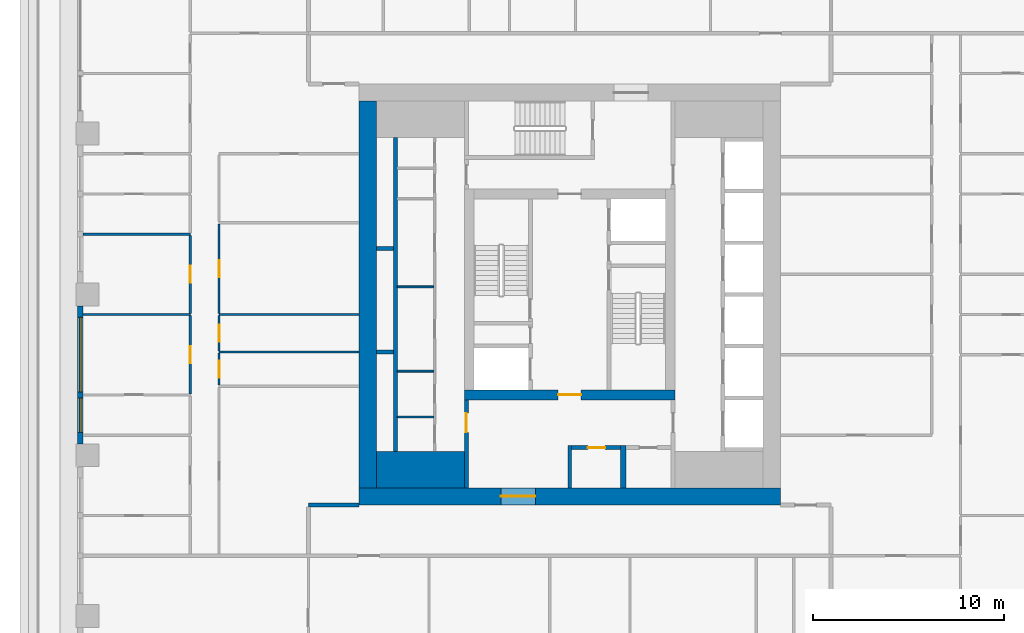
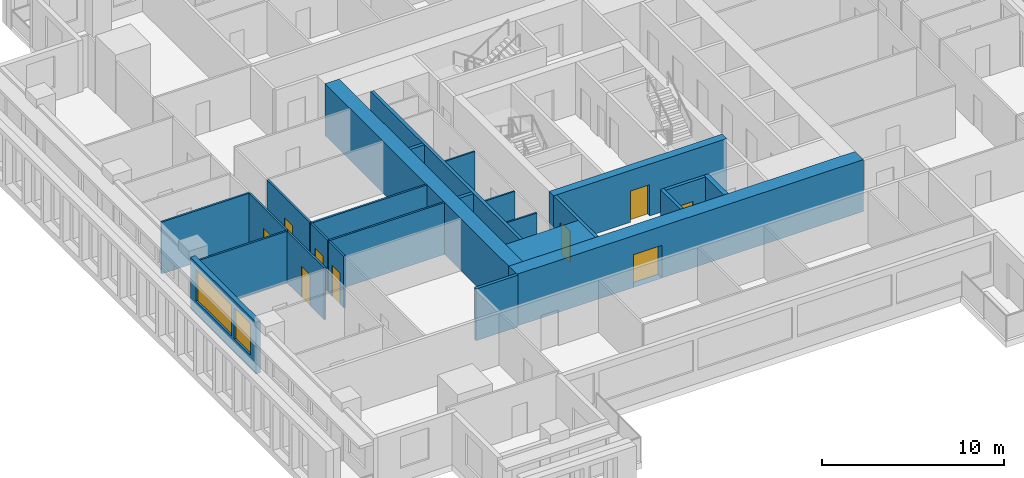
# One storey, part 3 of 14: 25 walls, 9 doors, 2 windows, 11 openings.
"""IFC4 building model written with IfcOpenShell, lengths in metres."""

from ifc_helpers import new_model, si_unit, direction, frame, frame_2d, origin, place, context, subcontext, project, spatial, rectangle, extrude, material, layer, layer_set, type_object, element, fill, save


model = new_model("IFC4")

# Units and contexts
model_context = context("Model", 3, precision=1e-05, world=origin(), true_north=direction((0.0, 1.0)))
body_context = subcontext(model_context, "Body", "Model", "MODEL_VIEW")
ifc_project = project(units=[si_unit("LENGTHUNIT", "METRE"), si_unit("AREAUNIT", "SQUARE_METRE"), si_unit("VOLUMEUNIT", "CUBIC_METRE"), si_unit("PLANEANGLEUNIT", "RADIAN"), si_unit("MASSUNIT", "GRAM", prefix="KILO")], contexts=[model_context])

# Site, building, storey
site_placement = place(None, origin())
site = spatial("IfcSite", under=ifc_project, at=site_placement, CompositionType="ELEMENT")
building_placement = place(site_placement, origin())
building = spatial("IfcBuilding", under=site, at=building_placement, Name="Khepri Terraces", CompositionType="ELEMENT")
storey_placement = place(building_placement, frame((0.0, 0.0, 279.60009765625)))
storey = spatial("IfcBuildingStorey", under=building, at=storey_placement, Name="L67", CompositionType="ELEMENT", Elevation=279.60009765625)

# Walls
ifc_material_1 = material(Name="Concrete C40/50", Category="concrete")
ifc_layer_1 = layer(ifc_material_1, 1.89990234375, Name="Concrete C40/50", Category="concrete")
ifc_layer_set_1 = layer_set([ifc_layer_1], Name="Concrete C40/50")
wall_type_1 = type_object("IfcWallType", Name="Core wall 1900 C40/50", PredefinedType="SHEAR", material=ifc_layer_set_1)
wall_1_placement = place(storey_placement, frame((-10.10009765625, -9.14990234375, 0.0), z_axis=(0.0, 0.0, 1.0), x_axis=(1.0, 0.0, 0.0)))
element("IfcWall", 1, at=wall_1_placement, inside=storey, type_object=wall_type_1, Name="Core wall PR01 L67", PredefinedType="SHEAR", context=body_context, shape_type="SweptSolid", body=[
    extrude(rectangle(XDim=4.60009765625, YDim=1.89990234375, at=frame_2d((2.300048828125, 0.0))), origin(), (0.0, 0.0, 1.0), 3.47998046875),
])
ifc_layer_2 = layer(ifc_material_1, 0.199951171875, Name="Concrete C40/50", Category="concrete")
ifc_layer_set_2 = layer_set([ifc_layer_2], Name="Concrete C40/50")
wall_type_2 = type_object("IfcWallType", Name="Core wall 200 C40/50", PredefinedType="SHEAR", material=ifc_layer_set_2)
wall_2_placement = place(storey_placement, frame((-9.10009765625, -8.199951171875, 0.0), z_axis=(0.0, 0.0, 1.0), x_axis=(0.0, 1.0, 0.0)))
element("IfcWall", 2, at=wall_2_placement, inside=storey, type_object=wall_type_2, Name="Core wall SH01 L67", PredefinedType="SHEAR", context=body_context, shape_type="SweptSolid", body=[
    extrude(rectangle(XDim=16.39990234375, YDim=0.199951171875, at=frame_2d((8.199951171875, 0.0))), origin(), (0.0, 0.0, 1.0), 3.47998046875),
])
for number, where, z_axis, x_axis, name in (
    (3, (-10.10009765625, -3.0, 0.0), (0.0, 0.0, 1.0), (1.0, 0.0, 0.0), "Core wall SH06 L67"),
    (4, (-10.10009765625, 2.39990234375, 0.0), (0.0, 0.0, 1.0), (1.0, 0.0, 0.0), "Core wall SH11 L67"),
):
    element("IfcWall", number, at=place(storey_placement, frame(where, z_axis=z_axis, x_axis=x_axis)), inside=storey, type_object=wall_type_2, Name=name, PredefinedType="SHEAR", context=body_context, shape_type="SweptSolid", body=[
        extrude(rectangle(XDim=0.900146484375, YDim=0.199951171875, at=frame_2d((0.4501953125, 0.0))), origin(), (0.0, 0.0, 1.0), 3.47998046875),
    ])

# Wall, opening, door
ifc_layer_3 = layer(ifc_material_1, 0.5, Name="Concrete C40/50", Category="concrete")
ifc_layer_set_3 = layer_set([ifc_layer_3], Name="Concrete C40/50")
wall_type_3 = type_object("IfcWallType", Name="Core wall 500 C40/50", PredefinedType="SHEAR", material=ifc_layer_set_3)
wall_3_placement = place(storey_placement, frame((-5.5, -5.25, 0.0), z_axis=(0.0, 0.0, 1.0), x_axis=(1.0, 0.0, 0.0)))
wall_3 = element("IfcWall", 5, at=wall_3_placement, inside=storey, type_object=wall_type_3, Name="Core wall BX01 L67", PredefinedType="SHEAR", context=body_context, shape_type="SweptSolid", body=[
    extrude(rectangle(XDim=11.0, YDim=0.5, at=frame_2d((5.5, 0.0))), origin(), (0.0, 0.0, 1.0), 3.47998046875),
])
opening_1_placement = place(wall_3_placement, frame((4.89990234375, 0.0, 0.0)))
opening_1 = element("IfcOpeningElement", 6, at=opening_1_placement, cuts=wall_3, Name="Opening L67-C14", PredefinedType="OPENING", context=body_context, shape_type="SweptSolid", body=[
    extrude(rectangle(XDim=1.199951171875, YDim=2.10009765625, at=frame_2d((0.60009765625, 1.050048828125))), frame((0.0, 0.260009765625, 0.0), z_axis=(0.0, -1.0, 0.0), x_axis=(1.0, 0.0, 0.0)), (0.0, 0.0, 1.0), 0.52001953125),
])
ifc_material_2 = material(Name="Painted steel", Category="steel")
door_type_1 = type_object("IfcDoorType", Name="DR-CORE-FF-LOBBY-1200", OperationType="NOTDEFINED", PredefinedType="DOOR", material=ifc_material_2)
door_1_placement = place(opening_1_placement, origin())
door_1 = element("IfcDoor", 7, at=door_1_placement, inside=storey, type_object=door_type_1, Name="Firefighting lobby door L67-C14", OperationType="SINGLE_SWING_RIGHT", OverallHeight=2.10009765625, OverallWidth=1.199951171875, PredefinedType="DOOR", context=body_context, shape_type="SweptSolid", body=[
    extrude(rectangle(XDim=1.199951171875, YDim=2.10009765625, at=frame_2d((0.60009765625, 1.050048828125))), frame((0.0, 0.02490234375, 0.0), z_axis=(0.0, -1.0, 0.0), x_axis=(1.0, 0.0, 0.0)), (0.0, 0.0, 1.0), 0.050048828125),
])
fill(opening_1, door_1)

ifc_layer_4 = layer(ifc_material_1, 0.89990234375, Name="Concrete C40/50", Category="concrete")
ifc_layer_set_4 = layer_set([ifc_layer_4], Name="Concrete C40/50")
wall_type_4 = type_object("IfcWallType", Name="Core wall 900 C40/50", PredefinedType="SHEAR", material=ifc_layer_set_4)
wall_4_placement = place(storey_placement, frame((-11.0, -10.550048828125, 0.0), z_axis=(0.0, 0.0, 1.0), x_axis=(1.0, 0.0, 0.0)))
wall_4 = element("IfcWall", 8, at=wall_4_placement, inside=storey, type_object=wall_type_4, Name="Core wall OW-S L67", PredefinedType="SHEAR", context=body_context, shape_type="SweptSolid", body=[
    extrude(rectangle(XDim=22.0, YDim=0.89990234375, at=frame_2d((11.0, 0.0))), origin(), (0.0, 0.0, 1.0), 3.47998046875),
])
opening_2_placement = place(wall_4_placement, frame((7.39990234375, 0.0, 0.0)))
opening_2 = element("IfcOpeningElement", 9, at=opening_2_placement, cuts=wall_4, Name="Opening L67-C21", PredefinedType="OPENING", context=body_context, shape_type="SweptSolid", body=[
    extrude(rectangle(XDim=1.800048828125, YDim=2.199951171875, at=frame_2d((0.89990234375, 1.10009765625))), frame((0.0, 0.4599609375, 0.0), z_axis=(0.0, -1.0, 0.0), x_axis=(1.0, 0.0, 0.0)), (0.0, 0.0, 1.0), 0.919921875),
])
door_type_2 = type_object("IfcDoorType", Name="DR-CORE-ENTRANCE-1800", OperationType="NOTDEFINED", PredefinedType="DOOR", material=ifc_material_2)
door_2_placement = place(opening_2_placement, frame((1.800048828125, 0.0, 0.0), z_axis=(0.0, 0.0, 1.0), x_axis=(-1.0, 0.0, 0.0)))
door_2 = element("IfcDoor", 10, at=door_2_placement, inside=storey, type_object=door_type_2, Name="Core entrance door pair L67-C21", OperationType="DOUBLE_DOOR_SINGLE_SWING", OverallHeight=2.199951171875, OverallWidth=1.800048828125, PredefinedType="DOOR", context=body_context, shape_type="SweptSolid", body=[
    extrude(rectangle(XDim=1.800048828125, YDim=2.199951171875, at=frame_2d((0.89990234375, 1.10009765625))), frame((0.0, 0.02490234375, 0.0), z_axis=(0.0, -1.0, 0.0), x_axis=(1.0, 0.0, 0.0)), (0.0, 0.0, 1.0), 0.050048828125),
])
fill(opening_2, door_2)

# Walls
wall_5_placement = place(storey_placement, frame((-10.550048828125, -10.10009765625, 0.0), z_axis=(0.0, 0.0, 1.0), x_axis=(0.0, 1.0, 0.0)))
element("IfcWall", 11, at=wall_5_placement, inside=storey, type_object=wall_type_4, Name="Core wall OW-W L67", PredefinedType="SHEAR", context=body_context, shape_type="SweptSolid", body=[
    extrude(rectangle(XDim=20.2001953125, YDim=0.89990234375, at=frame_2d((10.10009765625, 0.0))), origin(), (0.0, 0.0, 1.0), 3.47998046875),
])
ifc_material_3 = material(Name="Fire-rated gypsum board partition")
ifc_layer_5 = layer(ifc_material_3, 0.10009765625, Name="Fire-rated gypsum board partition")
ifc_layer_set_5 = layer_set([ifc_layer_5], Name="Fire-rated gypsum board partition")
wall_type_5 = type_object("IfcWallType", Name="WL-CORE-PART-100", PredefinedType="PARTITIONING", material=ifc_layer_set_5)
for number, where, z_axis, x_axis, name in (
    (12, (-9.0, -6.39990234375, 0.0), (0.0, 0.0, 1.0), (1.0, 0.0, 0.0), "Core partition PT08 L67"),
    (13, (-9.0, -4.0, 0.0), (0.0, 0.0, 1.0), (1.0, 0.0, 0.0), "Core partition PT09 L67"),
    (14, (-9.0, 0.39990234375, 0.0), (0.0, 0.0, 1.0), (1.0, 0.0, 0.0), "Core partition PT10 L67"),
):
    element("IfcWall", number, at=place(storey_placement, frame(where, z_axis=z_axis, x_axis=x_axis)), inside=storey, type_object=wall_type_5, Name=name, PredefinedType="PARTITIONING", context=body_context, shape_type="SweptSolid", body=[
        extrude(rectangle(XDim=1.89990234375, YDim=0.10009765625, at=frame_2d((0.949951171875, 0.0))), origin(), (0.0, 0.0, 1.0), 3.47998046875),
    ])

# Wall, opening, door
ifc_layer_6 = layer(ifc_material_3, 0.199951171875, Name="Fire-rated gypsum board partition")
ifc_layer_set_6 = layer_set([ifc_layer_6], Name="Fire-rated gypsum board partition")
wall_type_6 = type_object("IfcWallType", Name="WL-CORE-PART-200", PredefinedType="PARTITIONING", material=ifc_layer_set_6)
wall_6_placement = place(storey_placement, frame((-5.39990234375, -10.10009765625, 0.0), z_axis=(0.0, 0.0, 1.0), x_axis=(0.0, 1.0, 0.0)))
wall_6 = element("IfcWall", 15, at=wall_6_placement, inside=storey, type_object=wall_type_6, Name="Core partition PT01 L67", PredefinedType="PARTITIONING", context=body_context, shape_type="SweptSolid", body=[
    extrude(rectangle(XDim=4.60009765625, YDim=0.199951171875, at=frame_2d((2.300048828125, 0.0))), origin(), (0.0, 0.0, 1.0), 3.47998046875),
])
opening_3_placement = place(wall_6_placement, frame((2.89990234375, 0.0, 0.0)))
opening_3 = element("IfcOpeningElement", 16, at=opening_3_placement, cuts=wall_6, Name="Opening L67-C18", PredefinedType="OPENING", context=body_context, shape_type="SweptSolid", body=[
    extrude(rectangle(XDim=1.0, YDim=2.10009765625, at=frame_2d((0.5, 1.050048828125))), frame((0.0, 0.10986328125, 0.0), z_axis=(0.0, -1.0, 0.0), x_axis=(1.0, 0.0, 0.0)), (0.0, 0.0, 1.0), 0.219970703125),
])
door_type_3 = type_object("IfcDoorType", Name="DR-CORE-LOBBY-1000", OperationType="NOTDEFINED", PredefinedType="DOOR", material=ifc_material_2)
door_3_placement = place(opening_3_placement, frame((1.0, 0.0, 0.0), z_axis=(0.0, 0.0, 1.0), x_axis=(-1.0, 0.0, 0.0)))
door_3 = element("IfcDoor", 17, at=door_3_placement, inside=storey, type_object=door_type_3, Name="Lobby door L67-C18", OperationType="SINGLE_SWING_LEFT", OverallHeight=2.10009765625, OverallWidth=1.0, PredefinedType="DOOR", context=body_context, shape_type="SweptSolid", body=[
    extrude(rectangle(XDim=1.0, YDim=2.10009765625, at=frame_2d((0.5, 1.050048828125))), frame((0.0, 0.02490234375, 0.0), z_axis=(0.0, -1.0, 0.0), x_axis=(1.0, 0.0, 0.0)), (0.0, 0.0, 1.0), 0.050048828125),
])
fill(opening_3, door_3)

# Wall
wall_7_placement = place(storey_placement, frame((0.0, -10.10009765625, 0.0), z_axis=(0.0, 0.0, 1.0), x_axis=(0.0, 1.0, 0.0)))
element("IfcWall", 18, at=wall_7_placement, inside=storey, type_object=wall_type_6, Name="Core partition PT02 L67", PredefinedType="PARTITIONING", context=body_context, shape_type="SweptSolid", body=[
    extrude(rectangle(XDim=2.2001953125, YDim=0.199951171875, at=frame_2d((1.10009765625, 0.0))), origin(), (0.0, 0.0, 1.0), 3.47998046875),
])

# Wall, opening, door
wall_8_placement = place(storey_placement, frame((0.10009765625, -8.0, 0.0), z_axis=(0.0, 0.0, 1.0), x_axis=(1.0, 0.0, 0.0)))
wall_8 = element("IfcWall", 19, at=wall_8_placement, inside=storey, type_object=wall_type_6, Name="Core partition PT06 L67", PredefinedType="PARTITIONING", context=body_context, shape_type="SweptSolid", body=[
    extrude(rectangle(XDim=2.5498046875, YDim=0.199951171875, at=frame_2d((1.27490234375, 0.0))), origin(), (0.0, 0.0, 1.0), 3.47998046875),
])
opening_4_placement = place(wall_8_placement, frame((0.85009765625, 0.0, 0.0)))
opening_4 = element("IfcOpeningElement", 20, at=opening_4_placement, cuts=wall_8, Name="Opening L67-C22", PredefinedType="OPENING", context=body_context, shape_type="SweptSolid", body=[
    extrude(rectangle(XDim=0.89990234375, YDim=2.10009765625, at=frame_2d((0.449951171875, 1.050048828125))), frame((0.0, 0.10986328125, 0.0), z_axis=(0.0, -1.0, 0.0), x_axis=(1.0, 0.0, 0.0)), (0.0, 0.0, 1.0), 0.219970703125),
])
door_type_4 = type_object("IfcDoorType", Name="DR-CORE-SERVICE-900", OperationType="NOTDEFINED", PredefinedType="DOOR", material=ifc_material_2)
door_4_placement = place(opening_4_placement, frame((0.89990234375, 0.0, 0.0), z_axis=(0.0, 0.0, 1.0), x_axis=(-1.0, 0.0, 0.0)))
door_4 = element("IfcDoor", 21, at=door_4_placement, inside=storey, type_object=door_type_4, Name="Service room door L67-C22", OperationType="SINGLE_SWING_LEFT", OverallHeight=2.10009765625, OverallWidth=0.89990234375, PredefinedType="DOOR", context=body_context, shape_type="SweptSolid", body=[
    extrude(rectangle(XDim=0.89990234375, YDim=2.10009765625, at=frame_2d((0.449951171875, 1.050048828125))), frame((0.0, 0.02490234375, 0.0), z_axis=(0.0, -1.0, 0.0), x_axis=(1.0, 0.0, 0.0)), (0.0, 0.0, 1.0), 0.050048828125),
])
fill(opening_4, door_4)

# Walls
ifc_layer_7 = layer(ifc_material_3, 0.300048828125, Name="Fire-rated gypsum board partition")
ifc_layer_set_7 = layer_set([ifc_layer_7], Name="Fire-rated gypsum board partition")
wall_type_7 = type_object("IfcWallType", Name="WL-CORE-PART-300", PredefinedType="PARTITIONING", material=ifc_layer_set_7)
wall_9_placement = place(storey_placement, frame((2.800048828125, -10.10009765625, 0.0), z_axis=(0.0, 0.0, 1.0), x_axis=(0.0, 1.0, 0.0)))
element("IfcWall", 22, at=wall_9_placement, inside=storey, type_object=wall_type_7, Name="Core partition PT03 L67", PredefinedType="PARTITIONING", context=body_context, shape_type="SweptSolid", body=[
    extrude(rectangle(XDim=2.2001953125, YDim=0.300048828125, at=frame_2d((1.10009765625, 0.0))), origin(), (0.0, 0.0, 1.0), 3.47998046875),
])
ifc_material_4 = material(Name="Fire-rated gypsum plasterboard partition, mineral wool")
ifc_layer_8 = layer(ifc_material_4, 0.199951171875, Name="Fire-rated gypsum plasterboard partition, mineral wool")
ifc_layer_set_8 = layer_set([ifc_layer_8], Name="Fire-rated gypsum plasterboard partition, mineral wool")
wall_type_8 = type_object("IfcWallType", Name="WL-CORR-200", PredefinedType="PARTITIONING", material=ifc_layer_set_8)
wall_10_placement = place(storey_placement, frame((-13.64990234375, -11.0, 0.0), z_axis=(0.0, 0.0, 1.0), x_axis=(1.0, 0.0, 0.0)))
element("IfcWall", 23, at=wall_10_placement, inside=storey, type_object=wall_type_8, Name="Partition P-025 L67", PredefinedType="PARTITIONING", context=body_context, shape_type="SweptSolid", body=[
    extrude(rectangle(XDim=2.64990234375, YDim=0.199951171875, at=frame_2d((1.324951171875, 0.0))), origin(), (0.0, 0.0, 1.0), 3.47998046875),
])

# Wall, openings, windows
ifc_material_5 = material(Name="Precast concrete C50/60 warm stone", Category="masonry")
ifc_layer_9 = layer(ifc_material_5, 0.300048828125, Name="Precast concrete C50/60 warm stone", Category="masonry")
ifc_layer_set_9 = layer_set([ifc_layer_9], Name="Precast concrete C50/60 warm stone")
wall_type_9 = type_object("IfcWallType", Name="WL-EXT-PRECAST-300", PredefinedType="STANDARD", material=ifc_layer_set_9)
wall_11_placement = place(storey_placement, frame((-25.570068359375, -0.60009765625, 0.0), z_axis=(0.0, 0.0, 1.0), x_axis=(0.0, -1.0, 0.0)))
wall_11 = element("IfcWall", 24, at=wall_11_placement, inside=storey, type_object=wall_type_9, Name="External wall L67 W", PredefinedType="STANDARD", context=body_context, shape_type="SweptSolid", body=[
    extrude(rectangle(XDim=7.199951171875, YDim=0.300048828125, at=frame_2d((3.60009765625, 0.0))), origin(), (0.0, 0.0, 1.0), 3.47998046875),
])
opening_5_placement = place(wall_11_placement, frame((0.60009765625, 0.0, 0.89990234375)))
opening_5 = element("IfcOpeningElement", 25, at=opening_5_placement, cuts=wall_11, Name="Opening W2", PredefinedType="OPENING", context=body_context, shape_type="SweptSolid", body=[
    extrude(rectangle(XDim=3.89990234375, YDim=2.10009765625, at=frame_2d((1.949951171875, 1.050048828125))), frame((0.0, 0.16015625, 0.0), z_axis=(0.0, -1.0, 0.0), x_axis=(1.0, 0.0, 0.0)), (0.0, 0.0, 1.0), 0.320068359375),
])
opening_6_placement = place(wall_11_placement, frame((4.800048828125, 0.0, 0.89990234375)))
opening_6 = element("IfcOpeningElement", 26, at=opening_6_placement, cuts=wall_11, Name="Opening W1", PredefinedType="OPENING", context=body_context, shape_type="SweptSolid", body=[
    extrude(rectangle(XDim=1.800048828125, YDim=2.10009765625, at=frame_2d((0.89990234375, 1.050048828125))), frame((0.0, 0.16015625, 0.0), z_axis=(0.0, -1.0, 0.0), x_axis=(1.0, 0.0, 0.0)), (0.0, 0.0, 1.0), 0.320068359375),
])
ifc_material_6 = material(Name="Clear glass", Category="glass")
window_type_1 = type_object("IfcWindowType", Name="WIN-RES-1800x2100", PartitioningType="SINGLE_PANEL", PredefinedType="WINDOW", material=ifc_material_6)
window_1_placement = place(opening_6_placement, origin())
window_1 = element("IfcWindow", 27, at=window_1_placement, inside=storey, type_object=window_type_1, Name="Window L67 W", OverallHeight=2.10009765625, OverallWidth=1.800048828125, PartitioningType="SINGLE_PANEL", PredefinedType="WINDOW", context=body_context, shape_type="SweptSolid", body=[
    extrude(rectangle(XDim=1.800048828125, YDim=2.10009765625, at=frame_2d((0.89990234375, 1.050048828125))), frame((0.0, 0.030029296875, 0.0), z_axis=(0.0, -1.0, 0.0), x_axis=(1.0, 0.0, 0.0)), (0.0, 0.0, 1.0), 0.06005859375),
])
fill(opening_6, window_1)
window_type_2 = type_object("IfcWindowType", Name="WIN-RES-3900x2100", PartitioningType="SINGLE_PANEL", PredefinedType="WINDOW", material=ifc_material_6)
window_2_placement = place(opening_5_placement, origin())
window_2 = element("IfcWindow", 28, at=window_2_placement, inside=storey, type_object=window_type_2, Name="Window L67 W", OverallHeight=2.10009765625, OverallWidth=3.89990234375, PartitioningType="SINGLE_PANEL", PredefinedType="WINDOW", context=body_context, shape_type="SweptSolid", body=[
    extrude(rectangle(XDim=3.89990234375, YDim=2.10009765625, at=frame_2d((1.949951171875, 1.050048828125))), frame((0.0, 0.030029296875, 0.0), z_axis=(0.0, -1.0, 0.0), x_axis=(1.0, 0.0, 0.0)), (0.0, 0.0, 1.0), 0.06005859375),
])
fill(opening_5, window_2)

# Wall, opening, door
ifc_material_7 = material(Name="Gypsum plasterboard partition")
ifc_layer_10 = layer(ifc_material_7, 0.1201171875, Name="Gypsum plasterboard partition")
ifc_layer_set_10 = layer_set([ifc_layer_10], Name="Gypsum plasterboard partition")
wall_type_10 = type_object("IfcWallType", Name="WL-PART-120", PredefinedType="PARTITIONING", material=ifc_layer_set_10)
wall_12_placement = place(storey_placement, frame((-19.820068359375, -5.18994140625, 0.0), z_axis=(0.0, 0.0, 1.0), x_axis=(0.0, 1.0, 0.0)))
wall_12 = element("IfcWall", 29, at=wall_12_placement, inside=storey, type_object=wall_type_10, Name="Partition P-032 L67", PredefinedType="PARTITIONING", context=body_context, shape_type="SweptSolid", body=[
    extrude(rectangle(XDim=4.079833984375, YDim=0.1201171875, at=frame_2d((2.0400390625, 0.0))), origin(), (0.0, 0.0, 1.0), 3.47998046875),
])
opening_7_placement = place(wall_12_placement, frame((1.590087890625, 0.0, 0.0)))
opening_7 = element("IfcOpeningElement", 30, at=opening_7_placement, cuts=wall_12, Name="Opening D3", PredefinedType="OPENING", context=body_context, shape_type="SweptSolid", body=[
    extrude(rectangle(XDim=0.89990234375, YDim=2.10009765625, at=frame_2d((0.449951171875, 1.050048828125))), frame((0.0, 0.070068359375, 0.0), z_axis=(0.0, -1.0, 0.0), x_axis=(1.0, 0.0, 0.0)), (0.0, 0.0, 1.0), 0.14013671875),
])
ifc_material_8 = material(Name="Timber door leaf", Category="wood")
door_type_5 = type_object("IfcDoorType", Name="DR-INT-900", OperationType="NOTDEFINED", PredefinedType="DOOR", material=ifc_material_8)
door_5_placement = place(opening_7_placement, origin())
door_5 = element("IfcDoor", 31, at=door_5_placement, inside=storey, type_object=door_type_5, Name="Door Bedroom", OperationType="SINGLE_SWING_RIGHT", OverallHeight=2.10009765625, OverallWidth=0.89990234375, PredefinedType="DOOR", context=body_context, shape_type="SweptSolid", body=[
    extrude(rectangle(XDim=0.89990234375, YDim=2.10009765625, at=frame_2d((0.449951171875, 1.050048828125))), frame((0.0, 0.02490234375, 0.0), z_axis=(0.0, -1.0, 0.0), x_axis=(1.0, 0.0, 0.0)), (0.0, 0.0, 1.0), 0.050048828125),
])
fill(opening_7, door_5)

wall_13_placement = place(storey_placement, frame((-18.320068359375, -4.739990234375, 0.0), z_axis=(0.0, 0.0, 1.0), x_axis=(0.0, 1.0, 0.0)))
wall_13 = element("IfcWall", 32, at=wall_13_placement, inside=storey, type_object=wall_type_10, Name="Partition P-034 L67", PredefinedType="PARTITIONING", context=body_context, shape_type="SweptSolid", body=[
    extrude(rectangle(XDim=1.679931640625, YDim=0.1201171875, at=frame_2d((0.83984375, 0.0))), origin(), (0.0, 0.0, 1.0), 3.47998046875),
])
opening_8_placement = place(wall_13_placement, frame((0.389892578125, 0.0, 0.0)))
opening_8 = element("IfcOpeningElement", 33, at=opening_8_placement, cuts=wall_13, Name="Opening D4", PredefinedType="OPENING", context=body_context, shape_type="SweptSolid", body=[
    extrude(rectangle(XDim=0.89990234375, YDim=2.10009765625, at=frame_2d((0.449951171875, 1.050048828125))), frame((0.0, 0.070068359375, 0.0), z_axis=(0.0, -1.0, 0.0), x_axis=(1.0, 0.0, 0.0)), (0.0, 0.0, 1.0), 0.14013671875),
])
ifc_material_9 = material(Name="Timber door leaf, moisture resistant", Category="wood")
door_type_6 = type_object("IfcDoorType", Name="DR-WET-900", OperationType="NOTDEFINED", PredefinedType="DOOR", material=ifc_material_9)
door_6_placement = place(opening_8_placement, frame((0.89990234375, 0.0, 0.0), z_axis=(0.0, 0.0, 1.0), x_axis=(-1.0, 0.0, 0.0)))
door_6 = element("IfcDoor", 34, at=door_6_placement, inside=storey, type_object=door_type_6, Name="Door Guest Bathroom", OperationType="SINGLE_SWING_LEFT", OverallHeight=2.10009765625, OverallWidth=0.89990234375, PredefinedType="DOOR", context=body_context, shape_type="SweptSolid", body=[
    extrude(rectangle(XDim=0.89990234375, YDim=2.10009765625, at=frame_2d((0.449951171875, 1.050048828125))), frame((0.0, 0.02490234375, 0.0), z_axis=(0.0, -1.0, 0.0), x_axis=(1.0, 0.0, 0.0)), (0.0, 0.0, 1.0), 0.050048828125),
])
fill(opening_8, door_6)

# Wall
wall_14_placement = place(storey_placement, frame((-18.320068359375, -3.0, 0.0), z_axis=(0.0, 0.0, 1.0), x_axis=(1.0, 0.0, 0.0)))
element("IfcWall", 35, at=wall_14_placement, inside=storey, type_object=wall_type_10, Name="Partition P-039 L67", PredefinedType="PARTITIONING", context=body_context, shape_type="SweptSolid", body=[
    extrude(rectangle(XDim=7.320068359375, YDim=0.1201171875, at=frame_2d((3.66015625, 0.0))), origin(), (0.0, 0.0, 1.0), 3.47998046875),
])

# Wall, opening, door
wall_15_placement = place(storey_placement, frame((-18.320068359375, -2.93994140625, 0.0), z_axis=(0.0, 0.0, 1.0), x_axis=(0.0, 1.0, 0.0)))
wall_15 = element("IfcWall", 36, at=wall_15_placement, inside=storey, type_object=wall_type_10, Name="Partition P-040 L67", PredefinedType="PARTITIONING", context=body_context, shape_type="SweptSolid", body=[
    extrude(rectangle(XDim=1.829833984375, YDim=0.1201171875, at=frame_2d((0.9150390625, 0.0))), origin(), (0.0, 0.0, 1.0), 3.47998046875),
])
opening_9_placement = place(wall_15_placement, frame((0.465087890625, 0.0, 0.0)))
opening_9 = element("IfcOpeningElement", 37, at=opening_9_placement, cuts=wall_15, Name="Opening D4", PredefinedType="OPENING", context=body_context, shape_type="SweptSolid", body=[
    extrude(rectangle(XDim=0.89990234375, YDim=2.10009765625, at=frame_2d((0.449951171875, 1.050048828125))), frame((0.0, 0.070068359375, 0.0), z_axis=(0.0, -1.0, 0.0), x_axis=(1.0, 0.0, 0.0)), (0.0, 0.0, 1.0), 0.14013671875),
])
door_7_placement = place(opening_9_placement, frame((0.89990234375, 0.0, 0.0), z_axis=(0.0, 0.0, 1.0), x_axis=(-1.0, 0.0, 0.0)))
door_7 = element("IfcDoor", 38, at=door_7_placement, inside=storey, type_object=door_type_6, Name="Door Powder Room", OperationType="SINGLE_SWING_LEFT", OverallHeight=2.10009765625, OverallWidth=0.89990234375, PredefinedType="DOOR", context=body_context, shape_type="SweptSolid", body=[
    extrude(rectangle(XDim=0.89990234375, YDim=2.10009765625, at=frame_2d((0.449951171875, 1.050048828125))), frame((0.0, 0.02490234375, 0.0), z_axis=(0.0, -1.0, 0.0), x_axis=(1.0, 0.0, 0.0)), (0.0, 0.0, 1.0), 0.050048828125),
])
fill(opening_9, door_7)

# Walls
wall_16_placement = place(storey_placement, frame((-25.419921875, -1.050048828125, 0.0), z_axis=(0.0, 0.0, 1.0), x_axis=(1.0, 0.0, 0.0)))
element("IfcWall", 39, at=wall_16_placement, inside=storey, type_object=wall_type_10, Name="Partition P-041 L67", PredefinedType="PARTITIONING", context=body_context, shape_type="SweptSolid", body=[
    extrude(rectangle(XDim=5.599853515625, YDim=0.1201171875, at=frame_2d((2.7998046875, 0.0))), origin(), (0.0, 0.0, 1.0), 3.47998046875),
])
wall_17_placement = place(storey_placement, frame((-18.320068359375, -1.050048828125, 0.0), z_axis=(0.0, 0.0, 1.0), x_axis=(1.0, 0.0, 0.0)))
element("IfcWall", 40, at=wall_17_placement, inside=storey, type_object=wall_type_10, Name="Partition P-042 L67", PredefinedType="PARTITIONING", context=body_context, shape_type="SweptSolid", body=[
    extrude(rectangle(XDim=7.320068359375, YDim=0.1201171875, at=frame_2d((3.66015625, 0.0))), origin(), (0.0, 0.0, 1.0), 3.47998046875),
])

# Wall, opening, door
wall_18_placement = place(storey_placement, frame((-19.820068359375, -0.989990234375, 0.0), z_axis=(0.0, 0.0, 1.0), x_axis=(0.0, 1.0, 0.0)))
wall_18 = element("IfcWall", 41, at=wall_18_placement, inside=storey, type_object=wall_type_10, Name="Partition P-044 L67", PredefinedType="PARTITIONING", context=body_context, shape_type="SweptSolid", body=[
    extrude(rectangle(XDim=4.080078125, YDim=0.1201171875, at=frame_2d((2.0400390625, 0.0))), origin(), (0.0, 0.0, 1.0), 3.47998046875),
])
opening_10_placement = place(wall_18_placement, frame((1.590087890625, 0.0, 0.0)))
opening_10 = element("IfcOpeningElement", 42, at=opening_10_placement, cuts=wall_18, Name="Opening D3", PredefinedType="OPENING", context=body_context, shape_type="SweptSolid", body=[
    extrude(rectangle(XDim=0.89990234375, YDim=2.10009765625, at=frame_2d((0.449951171875, 1.050048828125))), frame((0.0, 0.070068359375, 0.0), z_axis=(0.0, -1.0, 0.0), x_axis=(1.0, 0.0, 0.0)), (0.0, 0.0, 1.0), 0.14013671875),
])
door_8_placement = place(opening_10_placement, origin())
door_8 = element("IfcDoor", 43, at=door_8_placement, inside=storey, type_object=door_type_5, Name="Door Home Office", OperationType="SINGLE_SWING_RIGHT", OverallHeight=2.10009765625, OverallWidth=0.89990234375, PredefinedType="DOOR", context=body_context, shape_type="SweptSolid", body=[
    extrude(rectangle(XDim=0.89990234375, YDim=2.10009765625, at=frame_2d((0.449951171875, 1.050048828125))), frame((0.0, 0.02490234375, 0.0), z_axis=(0.0, -1.0, 0.0), x_axis=(1.0, 0.0, 0.0)), (0.0, 0.0, 1.0), 0.050048828125),
])
fill(opening_10, door_8)

wall_19_placement = place(storey_placement, frame((-18.320068359375, -0.989990234375, 0.0), z_axis=(0.0, 0.0, 1.0), x_axis=(0.0, 1.0, 0.0)))
wall_19 = element("IfcWall", 44, at=wall_19_placement, inside=storey, type_object=wall_type_10, Name="Partition P-045 L67", PredefinedType="PARTITIONING", context=body_context, shape_type="SweptSolid", body=[
    extrude(rectangle(XDim=4.679931640625, YDim=0.1201171875, at=frame_2d((2.33984375, 0.0))), origin(), (0.0, 0.0, 1.0), 3.47998046875),
])
opening_11_placement = place(wall_19_placement, frame((1.889892578125, 0.0, 0.0)))
opening_11 = element("IfcOpeningElement", 45, at=opening_11_placement, cuts=wall_19, Name="Opening D3", PredefinedType="OPENING", context=body_context, shape_type="SweptSolid", body=[
    extrude(rectangle(XDim=0.89990234375, YDim=2.10009765625, at=frame_2d((0.449951171875, 1.050048828125))), frame((0.0, 0.070068359375, 0.0), z_axis=(0.0, -1.0, 0.0), x_axis=(1.0, 0.0, 0.0)), (0.0, 0.0, 1.0), 0.14013671875),
])
door_9_placement = place(opening_11_placement, frame((0.89990234375, 0.0, 0.0), z_axis=(0.0, 0.0, 1.0), x_axis=(-1.0, 0.0, 0.0)))
door_9 = element("IfcDoor", 46, at=door_9_placement, inside=storey, type_object=door_type_5, Name="Door Staff Bedroom", OperationType="SINGLE_SWING_LEFT", OverallHeight=2.10009765625, OverallWidth=0.89990234375, PredefinedType="DOOR", context=body_context, shape_type="SweptSolid", body=[
    extrude(rectangle(XDim=0.89990234375, YDim=2.10009765625, at=frame_2d((0.449951171875, 1.050048828125))), frame((0.0, 0.02490234375, 0.0), z_axis=(0.0, -1.0, 0.0), x_axis=(1.0, 0.0, 0.0)), (0.0, 0.0, 1.0), 0.050048828125),
])
fill(opening_11, door_9)

# Wall
wall_20_placement = place(storey_placement, frame((-25.419921875, 3.14990234375, 0.0), z_axis=(0.0, 0.0, 1.0), x_axis=(1.0, 0.0, 0.0)))
element("IfcWall", 47, at=wall_20_placement, inside=storey, type_object=wall_type_10, Name="Partition P-051 L67", PredefinedType="PARTITIONING", context=body_context, shape_type="SweptSolid", body=[
    extrude(rectangle(XDim=5.599853515625, YDim=0.1201171875, at=frame_2d((2.7998046875, 0.0))), origin(), (0.0, 0.0, 1.0), 3.47998046875),
])

save(model, "model.ifc")
